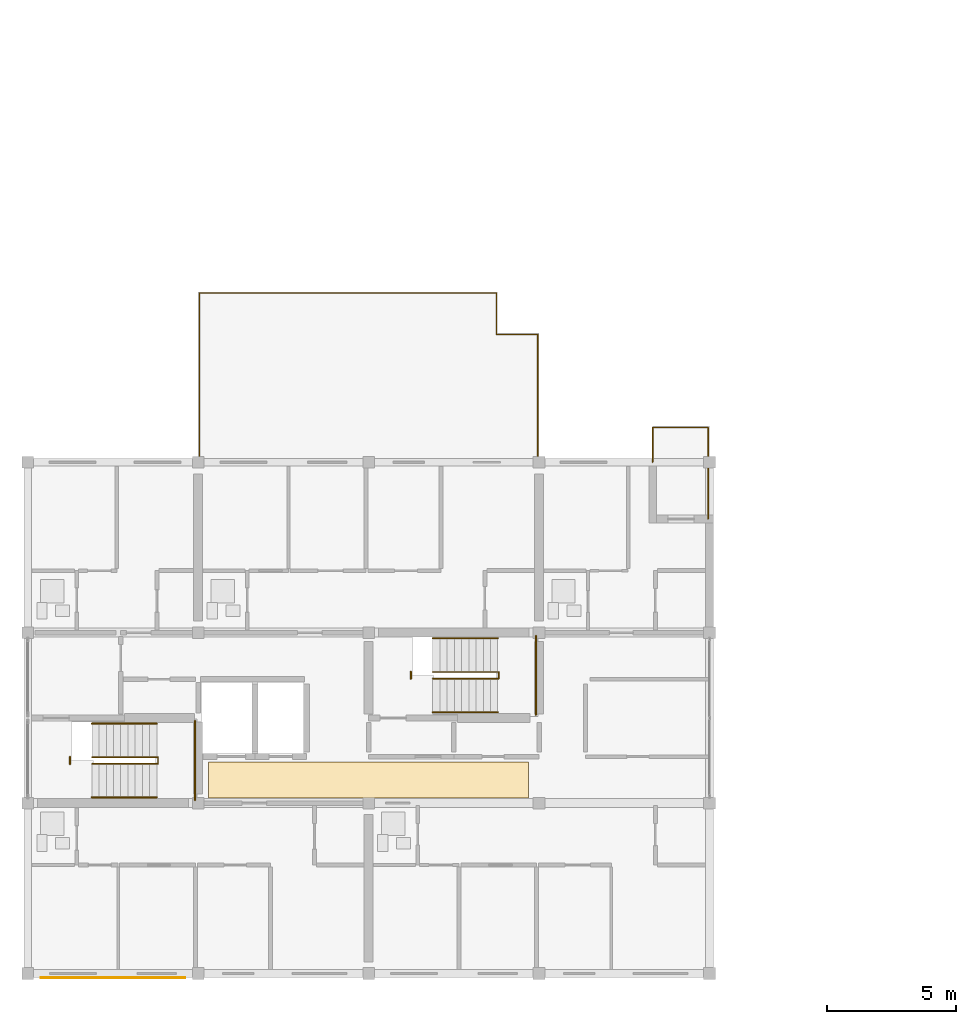
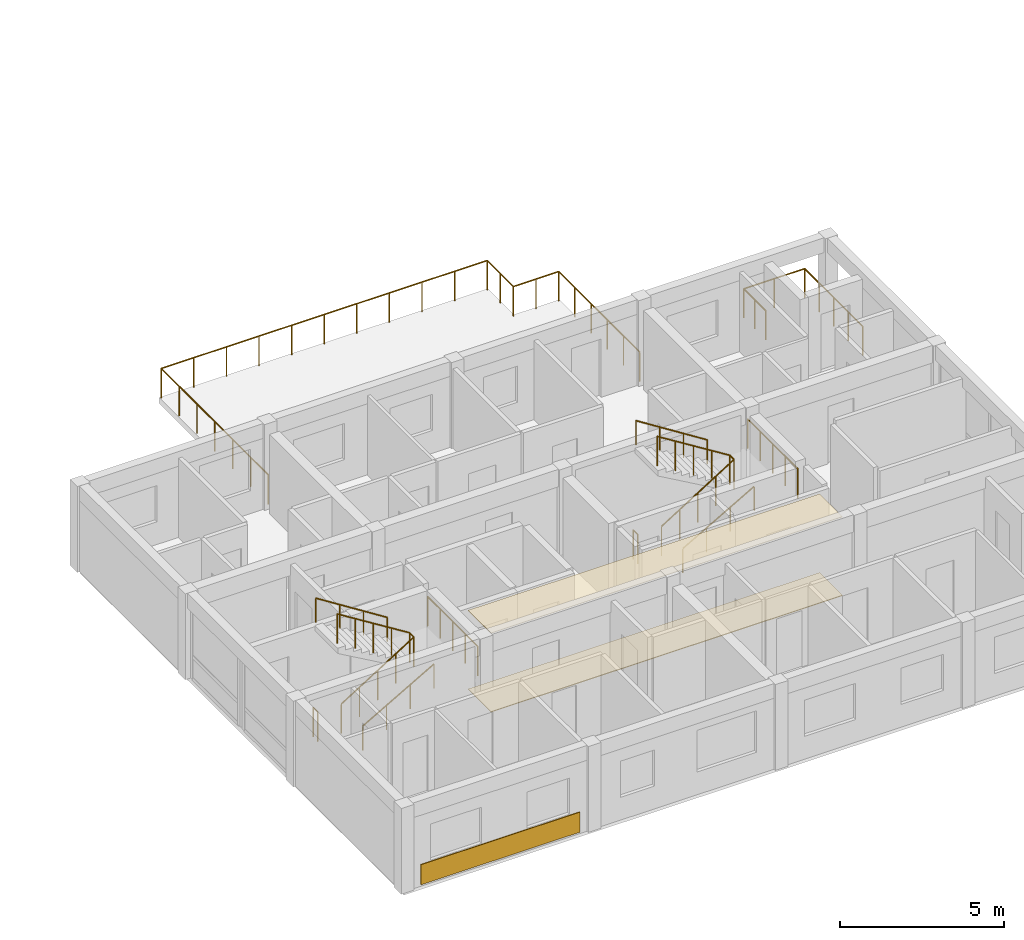
# One storey, part 43 of 51: 12 railings, 3 coverings.
"""IFC4 building model written with IfcOpenShell, lengths in metres."""

import ifcopenshell
import ifcopenshell.guid

model = None  # the IFC model being written
_history = None  # IfcOwnerHistory: only IFC2X3 demands one
_inside = {}  # id of a spatial element -> (the spatial element, [elements in it])
_under = {}  # id of a project, library or spatial element -> (it, [spatial elements below it])
_declared = {}  # id of a project -> (the project, [libraries it declares])
_typed = {}  # id of a type object -> (the type object, [elements of that type])
_made_of = {}  # id of a material, layer set ... -> (it, [elements and type objects made of it])


def new_model(schema):
    """Start an empty IFC model of exactly this schema.

    Asked for "IFC4X3", IfcOpenShell would pick the latest addendum, in which some entities
    have other attributes; the version numbers below select the first issue.
    IFC2X3 requires an IfcOwnerHistory on every rooted entity: one is made here for all.
    """
    global model, _history
    if schema == "IFC4X3":
        model = ifcopenshell.file(schema_version=(4, 3, 0, 0))
    else:
        model = ifcopenshell.file(schema=schema)
    _inside.clear()
    _under.clear()
    _declared.clear()
    _typed.clear()
    _made_of.clear()
    _history = None
    if model.schema == "IFC2X3":
        org = make("IfcOrganization", Name="unknown")
        user = make(
            "IfcPersonAndOrganization",
            ThePerson=make("IfcPerson", FamilyName="unknown"),
            TheOrganization=org,
        )
        app = make(
            "IfcApplication",
            ApplicationDeveloper=org,
            Version="unknown",
            ApplicationFullName="unknown",
            ApplicationIdentifier="unknown",
        )
        _history = make(
            "IfcOwnerHistory",
            OwningUser=user,
            OwningApplication=app,
            ChangeAction="ADDED",
            CreationDate=0,
        )
    return model


def make(cls, **values):
    """One entity of the class cls with the attributes given. An attribute that is None is left unset."""
    return model.create_entity(
        cls, **{name: value for name, value in values.items() if value is not None}
    )


def rooted(cls, **values):
    """An entity with a GlobalId (a new one), such as an element, a storey or a relation."""
    return make(cls, GlobalId=ifcopenshell.guid.new(), OwnerHistory=_history, **values)


def si_unit(unit_type, name, prefix=None):
    """IfcSIUnit, for example si_unit("LENGTHUNIT", "METRE", prefix="MILLI")."""
    return make("IfcSIUnit", UnitType=unit_type, Prefix=prefix, Name=name)


def assignment(units):
    """IfcUnitAssignment: the units of a project."""
    return None if units is None else make("IfcUnitAssignment", Units=units)


def point(xyz):
    """IfcCartesianPoint."""
    return None if xyz is None else make("IfcCartesianPoint", Coordinates=xyz)


def direction(xyz):
    """IfcDirection."""
    return None if xyz is None else make("IfcDirection", DirectionRatios=xyz)


def frame(location, z_axis=None, x_axis=None):
    """IfcAxis2Placement3D, a coordinate frame: its origin and axes. An axis left out is left unset."""
    return make(
        "IfcAxis2Placement3D",
        Location=point(location),
        Axis=direction(z_axis),
        RefDirection=direction(x_axis),
    )


def frame_2d(location, x_axis=None):
    """IfcAxis2Placement2D, a coordinate frame in the plane: its origin and x axis."""
    return make(
        "IfcAxis2Placement2D", Location=point(location), RefDirection=direction(x_axis)
    )


def origin():
    """The frame at (0, 0, 0) with its axes left unset."""
    return frame((0.0, 0.0, 0.0))


def origin_2d():
    """The frame at (0, 0) in the plane with its x axis left unset."""
    return frame_2d((0.0, 0.0))


def place(relative_to, where):
    """IfcLocalPlacement: puts the frame where relative to a parent placement (None: the world)."""
    return make(
        "IfcLocalPlacement", PlacementRelTo=relative_to, RelativePlacement=where
    )


def context(
    kind, dimensions, precision=None, world=None, true_north=None, identifier=None
):
    """IfcGeometricRepresentationContext, for example the 3D "Model" context."""
    return make(
        "IfcGeometricRepresentationContext",
        ContextIdentifier=identifier,
        ContextType=kind,
        CoordinateSpaceDimension=dimensions,
        Precision=precision,
        WorldCoordinateSystem=world,
        TrueNorth=true_north,
    )


def subcontext(parent, identifier, kind, view, scale=None):
    """IfcGeometricRepresentationSubContext, for example "Body" below "Model"."""
    return make(
        "IfcGeometricRepresentationSubContext",
        ContextIdentifier=identifier,
        ContextType=kind,
        ParentContext=parent,
        TargetScale=scale,
        TargetView=view,
    )


def project(units=None, contexts=None):
    """IfcProject with its units and contexts."""
    return rooted(
        "IfcProject",
        Name="project",
        RepresentationContexts=contexts,
        UnitsInContext=assignment(units),
    )


def spatial(cls, under=None, at=None, **own):
    """A site, building, storey or space (cls), placed at a placement, below another one or the project."""
    s = rooted(cls, ObjectPlacement=at, **own)
    if under is not None:
        _under.setdefault(under.id(), (under, []))[1].append(s)
    return s


def polyline(points):
    """IfcPolyline through the points."""
    return make("IfcPolyline", Points=[point(p) for p in points])


def profile(cls, at=None, kind="AREA", **sizes):
    """A parametric profile (cls). Its sizes go by their IFC names, for example OverallWidth=200.0."""
    return make(cls, ProfileType=kind, Position=at, **sizes)


def rectangle(**sizes):
    """IfcRectangleProfileDef."""
    return profile("IfcRectangleProfileDef", **sizes)


def circle(**sizes):
    """IfcCircleProfileDef."""
    return profile("IfcCircleProfileDef", **sizes)


def outline(outer, holes=None, kind="AREA"):
    """IfcArbitraryClosedProfileDef: a profile drawn as a closed curve; with holes, ...WithVoids."""
    if holes is None:
        return make("IfcArbitraryClosedProfileDef", ProfileType=kind, OuterCurve=outer)
    return make(
        "IfcArbitraryProfileDefWithVoids",
        ProfileType=kind,
        OuterCurve=outer,
        InnerCurves=holes,
    )


def extrude(swept, where, along, depth):
    """IfcExtrudedAreaSolid: the profile swept, set in the frame where, extruded along a direction by depth."""
    return make(
        "IfcExtrudedAreaSolid",
        SweptArea=swept,
        Position=where,
        ExtrudedDirection=direction(along),
        Depth=depth,
    )


def shape(context_of_items, identifier, shape_type, items):
    """IfcShapeRepresentation: the items that make up one representation, for example the "Body"."""
    return make(
        "IfcShapeRepresentation",
        ContextOfItems=context_of_items,
        RepresentationIdentifier=identifier,
        RepresentationType=shape_type,
        Items=items,
    )


def material(Name=None, Category=None):
    """IfcMaterial."""
    return make("IfcMaterial", Name=Name, Category=Category)


def layer(
    of_material, thickness, ventilated=None, Name=None, Category=None, Priority=None
):
    """IfcMaterialLayer: one layer of a wall or slab, of a material (None: an air gap)."""
    return make(
        "IfcMaterialLayer",
        Material=of_material,
        LayerThickness=thickness,
        IsVentilated=ventilated,
        Name=Name,
        Category=Category,
        Priority=Priority,
    )


def layer_set(layers, Name=None):
    """IfcMaterialLayerSet."""
    return make("IfcMaterialLayerSet", MaterialLayers=layers, LayerSetName=Name)


def made_of(thing, what):
    """Note that an element or type object is made of a material, layer set ...; save() writes the relation."""
    if what is not None:
        _made_of.setdefault(what.id(), (what, []))[1].append(thing)
    return thing


def type_object(cls, material=None, **own):
    """A type object (cls), such as IfcWallType, which elements share."""
    return made_of(rooted(cls, **own), material)


def element(
    cls,
    number,
    at=None,
    inside=None,
    cuts=None,
    type_object=None,
    material=None,
    context=None,
    identifier="Body",
    shape_type=None,
    held_by="IfcProductDefinitionShape",
    body=None,
    shapes=None,
    **own,
):
    """One element of the class cls, such as IfcWall. Its Tag is "e" and its number.

    at: its placement. inside: the storey or other place that contains it. cuts: it is an
    opening in that element (IfcRelVoidsElement). A single representation is given by context,
    identifier, shape_type and body (its items); several are given by shapes. held_by: the class
    of the entity that holds the representations. save() writes the other relations.
    """
    e = rooted(cls, Tag="e%d" % number, ObjectPlacement=at, **own)
    if body is not None:
        shapes = [shape(context, identifier, shape_type, body)]
    if shapes is not None:
        e.Representation = make(held_by, Representations=shapes)
    if inside is not None:
        _inside.setdefault(inside.id(), (inside, []))[1].append(e)
    if cuts is not None:
        rooted(
            "IfcRelVoidsElement", RelatingBuildingElement=cuts, RelatedOpeningElement=e
        )
    if type_object is not None:
        _typed.setdefault(type_object.id(), (type_object, []))[1].append(e)
    return made_of(e, material)


def aggregate(whole, parts):
    """IfcRelAggregates: a whole, such as a stair, and the parts it consists of."""
    return rooted("IfcRelAggregates", RelatingObject=whole, RelatedObjects=parts)


def save(model, path):
    """Write the relations noted so far, then the file.

    IfcRelAggregates (storeys below a building ...), IfcRelContainedInSpatialStructure (elements
    in a storey), IfcRelDefinesByType, IfcRelAssociatesMaterial and IfcRelDeclares: one each for
    every whole, place, type object, material and project.
    """
    for whole, parts in _under.values():
        aggregate(whole, parts)
    for where, things in _inside.values():
        rooted(
            "IfcRelContainedInSpatialStructure",
            RelatedElements=things,
            RelatingStructure=where,
        )
    for kind, things in _typed.values():
        rooted("IfcRelDefinesByType", RelatedObjects=things, RelatingType=kind)
    for what, things in _made_of.values():
        rooted("IfcRelAssociatesMaterial", RelatedObjects=things, RelatingMaterial=what)
    for by, libraries in _declared.values():
        rooted("IfcRelDeclares", RelatingContext=by, RelatedDefinitions=libraries)
    model.write(path)


model = new_model("IFC4")

# Units and contexts
model_context = context("Model", 3, precision=1e-05, world=origin(), true_north=direction((0.0, 1.0)))
body_context = subcontext(model_context, "Body", "Model", "MODEL_VIEW")
ifc_project = project(units=[si_unit("LENGTHUNIT", "METRE"), si_unit("AREAUNIT", "SQUARE_METRE"), si_unit("VOLUMEUNIT", "CUBIC_METRE"), si_unit("PLANEANGLEUNIT", "RADIAN"), si_unit("MASSUNIT", "GRAM", prefix="KILO")], contexts=[model_context])

# Site, building, storey
site_placement = place(None, origin())
site = spatial("IfcSite", under=ifc_project, at=site_placement, CompositionType="ELEMENT")
building_placement = place(site_placement, origin())
building = spatial("IfcBuilding", under=site, at=building_placement, Name="Kernevlak Ridge Housing Community", CompositionType="ELEMENT")
storey_placement = place(building_placement, frame((0.0, 0.0, 8.39990234375)))
storey = spatial("IfcBuildingStorey", under=building, at=storey_placement, Name="L02", CompositionType="ELEMENT", Elevation=8.39990234375)

# Railing
ifc_material_1 = material(Name="Steel S355", Category="steel")
railing_type_1 = type_object("IfcRailingType", Name="BL-01", PredefinedType="BALUSTRADE", material=ifc_material_1)
railing_1_placement = place(storey_placement, frame((39.800048828125, 35.39990234375, 0.0)))
element("IfcRailing", 1, at=railing_1_placement, inside=storey, type_object=railing_type_1, Name="Block D L02 balcony balustrade BL-01 47", PredefinedType="BALUSTRADE", context=body_context, shape_type="SweptSolid", body=[
    extrude(circle(Radius=0.02392578125, at=origin_2d()), frame((0.0, 0.0, 1.076171875), z_axis=(0.0, 1.0, 0.0), x_axis=(-1.0, 0.0, 0.0)), (0.0, 0.0, 1.0), 1.35009765625),
    extrude(circle(Radius=0.02392578125, at=origin_2d()), frame((0.0, 1.35009765625, 1.076171875), z_axis=(1.0, 0.0, 0.0), x_axis=(0.0, 1.0, 0.0)), (0.0, 0.0, 1.0), 2.14990234375),
    extrude(circle(Radius=0.02392578125, at=origin_2d()), frame((2.14990234375, 1.35009765625, 1.076171875), z_axis=(0.0, -1.0, 0.0), x_axis=(1.0, 0.0, 0.0)), (0.0, 0.0, 1.0), 3.550048828125),
    extrude(circle(Radius=0.02099609375, at=origin_2d()), origin(), (0.0, 0.0, 1.0), 1.052001953125),
    extrude(circle(Radius=0.02099609375, at=origin_2d()), frame((0.0, 0.675048828125, 0.0)), (0.0, 0.0, 1.0), 1.052001953125),
    extrude(circle(Radius=0.02099609375, at=origin_2d()), frame((0.0, 1.35009765625, 0.0)), (0.0, 0.0, 1.0), 1.052001953125),
    extrude(circle(Radius=0.02099609375, at=origin_2d()), frame((1.074951171875, 1.35009765625, 0.0)), (0.0, 0.0, 1.0), 1.052001953125),
    extrude(circle(Radius=0.02099609375, at=origin_2d()), frame((2.14990234375, 1.35009765625, 0.0)), (0.0, 0.0, 1.0), 1.052001953125),
    extrude(circle(Radius=0.02099609375, at=origin_2d()), frame((2.14990234375, 0.462646484375, 0.0)), (0.0, 0.0, 1.0), 1.052001953125),
    extrude(circle(Radius=0.02099609375, at=origin_2d()), frame((2.14990234375, -0.4248046875, 0.0)), (0.0, 0.0, 1.0), 1.052001953125),
    extrude(circle(Radius=0.02099609375, at=origin_2d()), frame((2.14990234375, -1.3125, 0.0)), (0.0, 0.0, 1.0), 1.052001953125),
    extrude(circle(Radius=0.02099609375, at=origin_2d()), frame((2.14990234375, -2.199951171875, 0.0)), (0.0, 0.0, 1.0), 1.052001953125),
])

# Coverings
ifc_material_2 = material(Name="Acoustic perforated gypsum ceiling board")
ifc_layer_1 = layer(ifc_material_2, 0.02001953125, Name="Acoustic perforated gypsum ceiling board")
ifc_layer_set_1 = layer_set([ifc_layer_1], Name="Acoustic perforated gypsum ceiling board")
covering_type_1 = type_object("IfcCoveringType", Name="CV-01", PredefinedType="CEILING", material=ifc_layer_set_1)
covering_1_placement = place(storey_placement, frame((0.0, 0.0, 2.940185546875)))
element("IfcCovering", 2, at=covering_1_placement, inside=storey, type_object=covering_type_1, Name="Block D L02 lobby acoustic ceiling", PredefinedType="CEILING", context=body_context, shape_type="SweptSolid", body=[
    extrude(outline(polyline([(22.60009765625, 22.39990234375), (35.0, 22.39990234375), (35.0, 23.800048828125), (22.60009765625, 23.800048828125), (22.60009765625, 22.39990234375)])), origin(), (0.0, 0.0, 1.0), 0.02001953125),
])
ifc_material_3 = material(Name="Polished pale terrazzo tile flooring")
ifc_layer_2 = layer(ifc_material_3, 0.02490234375, Name="Polished pale terrazzo tile flooring")
ifc_layer_set_2 = layer_set([ifc_layer_2], Name="Polished pale terrazzo tile flooring")
covering_type_2 = type_object("IfcCoveringType", Name="CV-02", PredefinedType="FLOORING", material=ifc_layer_set_2)
covering_2_placement = place(storey_placement, origin())
element("IfcCovering", 3, at=covering_2_placement, inside=storey, type_object=covering_type_2, Name="Block D L02 lobby terrazzo flooring", PredefinedType="FLOORING", context=body_context, shape_type="SweptSolid", body=[
    extrude(outline(polyline([(22.60009765625, 22.39990234375), (35.0, 22.39990234375), (35.0, 23.800048828125), (22.60009765625, 23.800048828125), (22.60009765625, 22.39990234375)])), origin(), (0.0, 0.0, 1.0), 0.025146484375),
])
ifc_material_4 = material(Name="Aluminium EN AW-5005 enamelled cladding", Category="aluminium")
ifc_layer_3 = layer(ifc_material_4, 0.030029296875, Name="Aluminium EN AW-5005 enamelled cladding")
ifc_layer_set_3 = layer_set([ifc_layer_3], Name="Aluminium EN AW-5005 enamelled cladding")
covering_type_3 = type_object("IfcCoveringType", Name="CV-04", PredefinedType="CLADDING", material=ifc_layer_set_3)
covering_3_placement = place(storey_placement, frame((18.89990234375, 15.43505859375, 0.0751953125), z_axis=(0.0, 0.0, 1.0), x_axis=(1.0, 0.0, 0.0)))
element("IfcCovering", 4, at=covering_3_placement, inside=storey, type_object=covering_type_3, Name="Block D L02 De Stijl blue spandrel cladding", PredefinedType="CLADDING", context=body_context, shape_type="SweptSolid", body=[
    extrude(rectangle(XDim=5.60009765625, YDim=0.030029296875, at=origin_2d()), origin(), (0.0, 0.0, 1.0), 0.75),
])

# Railings
railing_type_2 = type_object("IfcRailingType", Name="GR-01", PredefinedType="GUARDRAIL", material=ifc_material_1)
railing_2_placement = place(storey_placement, frame((22.25, 35.39990234375, 0.0)))
element("IfcRailing", 5, at=railing_2_placement, inside=storey, type_object=railing_type_2, Name="Block D L02 podium terrace guard GR-01 48", PredefinedType="GUARDRAIL", context=body_context, shape_type="SweptSolid", body=[
    extrude(circle(Radius=0.02392578125, at=origin_2d()), frame((0.0, 0.0, 1.09619140625), z_axis=(0.0, 1.0, 0.0), x_axis=(-1.0, 0.0, 0.0)), (0.0, 0.0, 1.0), 6.550048828125),
    extrude(circle(Radius=0.02392578125, at=origin_2d()), frame((0.0, 6.550048828125, 1.09619140625), z_axis=(1.0, 0.0, 0.0), x_axis=(0.0, 1.0, 0.0)), (0.0, 0.0, 1.0), 11.5),
    extrude(circle(Radius=0.02392578125, at=origin_2d()), frame((11.5, 6.550048828125, 1.09619140625), z_axis=(0.0, -1.0, 0.0), x_axis=(1.0, 0.0, 0.0)), (0.0, 0.0, 1.0), 1.599853515625),
    extrude(circle(Radius=0.02392578125, at=origin_2d()), frame((11.5, 4.9501953125, 1.09619140625), z_axis=(1.0, 0.0, 0.0), x_axis=(0.0, 1.0, 0.0)), (0.0, 0.0, 1.0), 1.60009765625),
    extrude(circle(Radius=0.02392578125, at=origin_2d()), frame((13.10009765625, 4.9501953125, 1.09619140625), z_axis=(0.0, -1.0, 0.0), x_axis=(1.0, 0.0, 0.0)), (0.0, 0.0, 1.0), 4.9501953125),
    extrude(circle(Radius=0.02099609375, at=origin_2d()), origin(), (0.0, 0.0, 1.0), 1.072021484375),
    extrude(circle(Radius=0.02099609375, at=origin_2d()), frame((0.0, 1.091796875, 0.0)), (0.0, 0.0, 1.0), 1.072021484375),
    extrude(circle(Radius=0.02099609375, at=origin_2d()), frame((0.0, 2.183349609375, 0.0)), (0.0, 0.0, 1.0), 1.072021484375),
    extrude(circle(Radius=0.02099609375, at=origin_2d()), frame((0.0, 3.27490234375, 0.0)), (0.0, 0.0, 1.0), 1.072021484375),
    extrude(circle(Radius=0.02099609375, at=origin_2d()), frame((0.0, 4.36669921875, 0.0)), (0.0, 0.0, 1.0), 1.072021484375),
    extrude(circle(Radius=0.02099609375, at=origin_2d()), frame((0.0, 5.45849609375, 0.0)), (0.0, 0.0, 1.0), 1.072021484375),
    extrude(circle(Radius=0.02099609375, at=origin_2d()), frame((0.0, 6.550048828125, 0.0)), (0.0, 0.0, 1.0), 1.072021484375),
    extrude(circle(Radius=0.02099609375, at=origin_2d()), frame((1.14990234375, 6.550048828125, 0.0)), (0.0, 0.0, 1.0), 1.072021484375),
    extrude(circle(Radius=0.02099609375, at=origin_2d()), frame((2.300048828125, 6.550048828125, 0.0)), (0.0, 0.0, 1.0), 1.072021484375),
    extrude(circle(Radius=0.02099609375, at=origin_2d()), frame((3.449951171875, 6.550048828125, 0.0)), (0.0, 0.0, 1.0), 1.072021484375),
    extrude(circle(Radius=0.02099609375, at=origin_2d()), frame((4.60009765625, 6.550048828125, 0.0)), (0.0, 0.0, 1.0), 1.072021484375),
    extrude(circle(Radius=0.02099609375, at=origin_2d()), frame((5.75, 6.550048828125, 0.0)), (0.0, 0.0, 1.0), 1.072021484375),
    extrude(circle(Radius=0.02099609375, at=origin_2d()), frame((6.89990234375, 6.550048828125, 0.0)), (0.0, 0.0, 1.0), 1.072021484375),
    extrude(circle(Radius=0.02099609375, at=origin_2d()), frame((8.050048828125, 6.550048828125, 0.0)), (0.0, 0.0, 1.0), 1.072021484375),
    extrude(circle(Radius=0.02099609375, at=origin_2d()), frame((9.199951171875, 6.550048828125, 0.0)), (0.0, 0.0, 1.0), 1.072021484375),
    extrude(circle(Radius=0.02099609375, at=origin_2d()), frame((10.35009765625, 6.550048828125, 0.0)), (0.0, 0.0, 1.0), 1.072021484375),
    extrude(circle(Radius=0.02099609375, at=origin_2d()), frame((11.5, 6.550048828125, 0.0)), (0.0, 0.0, 1.0), 1.072021484375),
    extrude(circle(Radius=0.02099609375, at=origin_2d()), frame((11.5, 5.75, 0.0)), (0.0, 0.0, 1.0), 1.072021484375),
    extrude(circle(Radius=0.02099609375, at=origin_2d()), frame((11.5, 4.9501953125, 0.0)), (0.0, 0.0, 1.0), 1.072021484375),
    extrude(circle(Radius=0.02099609375, at=origin_2d()), frame((12.300048828125, 4.9501953125, 0.0)), (0.0, 0.0, 1.0), 1.072021484375),
    extrude(circle(Radius=0.02099609375, at=origin_2d()), frame((13.10009765625, 4.9501953125, 0.0)), (0.0, 0.0, 1.0), 1.072021484375),
    extrude(circle(Radius=0.02099609375, at=origin_2d()), frame((13.10009765625, 3.960205078125, 0.0)), (0.0, 0.0, 1.0), 1.072021484375),
    extrude(circle(Radius=0.02099609375, at=origin_2d()), frame((13.10009765625, 2.97021484375, 0.0)), (0.0, 0.0, 1.0), 1.072021484375),
    extrude(circle(Radius=0.02099609375, at=origin_2d()), frame((13.10009765625, 1.97998046875, 0.0)), (0.0, 0.0, 1.0), 1.072021484375),
    extrude(circle(Radius=0.02099609375, at=origin_2d()), frame((13.10009765625, 0.989990234375, 0.0)), (0.0, 0.0, 1.0), 1.072021484375),
    extrude(circle(Radius=0.02099609375, at=origin_2d()), frame((13.10009765625, 0.0, 0.0)), (0.0, 0.0, 1.0), 1.072021484375),
])
railing_type_3 = type_object("IfcRailingType", Name="GR-02", PredefinedType="GUARDRAIL", material=ifc_material_1)
railing_3_placement = place(storey_placement, frame((17.239990234375, 23.7099609375, 0.0)))
element("IfcRailing", 6, at=railing_3_placement, inside=storey, type_object=railing_type_3, Name="Stair ST-D1 L02 well slot guard", PredefinedType="GUARDRAIL", context=body_context, shape_type="SweptSolid", body=[
    extrude(circle(Radius=0.02392578125, at=origin_2d()), frame((0.0, 0.0, 1.09619140625), z_axis=(0.0, 1.0, 0.0), x_axis=(-1.0, 0.0, 0.0)), (0.0, 0.0, 1.0), 0.280029296875),
    extrude(circle(Radius=0.02099609375, at=origin_2d()), origin(), (0.0, 0.0, 1.0), 1.072021484375),
    extrude(circle(Radius=0.02099609375, at=origin_2d()), frame((0.0, 0.280029296875, 0.0)), (0.0, 0.0, 1.0), 1.072021484375),
])
railing_4_placement = place(storey_placement, frame((18.080078125, 23.719970703125, 0.0)))
element("IfcRailing", 7, at=railing_4_placement, inside=storey, type_object=railing_type_3, Name="Stair ST-D1 L02 inner well guardrail", PredefinedType="GUARDRAIL", context=body_context, shape_type="SweptSolid", body=[
    extrude(circle(Radius=0.02392578125, at=origin_2d()), frame((0.0, 0.0, 1.09619140625), z_axis=(0.847966497998, 0.0, 0.530049826217), x_axis=(0.0, 1.0, 0.0)), (0.0, 0.0, 1.0), 3.018798828125),
    extrude(circle(Radius=0.02392578125, at=origin_2d()), frame((2.559814453125, 0.0, 2.6962890625), z_axis=(0.0, 1.0, 0.0), x_axis=(-1.0, 0.0, 0.0)), (0.0, 0.0, 1.0), 0.260009765625),
    extrude(circle(Radius=0.02392578125, at=origin_2d()), frame((2.559814453125, 0.260009765625, 2.6962890625), z_axis=(-0.847966497998, 0.0, 0.530049826217), x_axis=(0.0, -1.0, 0.0)), (0.0, 0.0, 1.0), 3.018798828125),
    extrude(circle(Radius=0.02099609375, at=origin_2d()), origin(), (0.0, 0.0, 1.0), 1.072021484375),
    extrude(circle(Radius=0.02099609375, at=origin_2d()), frame((0.639892578125, 0.0, 0.39990234375)), (0.0, 0.0, 1.0), 1.072021484375),
    extrude(circle(Radius=0.02099609375, at=origin_2d()), frame((1.27978515625, 0.0, 0.800048828125)), (0.0, 0.0, 1.0), 1.072021484375),
    extrude(circle(Radius=0.02099609375, at=origin_2d()), frame((1.919921875, 0.0, 1.2001953125)), (0.0, 0.0, 1.0), 1.072021484375),
    extrude(circle(Radius=0.02099609375, at=origin_2d()), frame((2.559814453125, 0.0, 1.60009765625)), (0.0, 0.0, 1.0), 1.072021484375),
    extrude(circle(Radius=0.02099609375, at=origin_2d()), frame((2.559814453125, 0.260009765625, 1.60009765625)), (0.0, 0.0, 1.0), 1.072021484375),
    extrude(circle(Radius=0.02099609375, at=origin_2d()), frame((1.919921875, 0.260009765625, 2.0)), (0.0, 0.0, 1.0), 1.072021484375),
    extrude(circle(Radius=0.02099609375, at=origin_2d()), frame((1.27978515625, 0.260009765625, 2.400146484375)), (0.0, 0.0, 1.0), 1.072021484375),
    extrude(circle(Radius=0.02099609375, at=origin_2d()), frame((0.639892578125, 0.260009765625, 2.80029296875)), (0.0, 0.0, 1.0), 1.072021484375),
    extrude(circle(Radius=0.02099609375, at=origin_2d()), frame((0.0, 0.260009765625, 3.2001953125)), (0.0, 0.0, 1.0), 1.072021484375),
])
railing_5_placement = place(storey_placement, frame((22.080078125, 22.320068359375, 1.60009765625)))
element("IfcRailing", 8, at=railing_5_placement, inside=storey, type_object=railing_type_3, Name="Stair ST-D1 L02 half-landing guard", PredefinedType="GUARDRAIL", context=body_context, shape_type="SweptSolid", body=[
    extrude(circle(Radius=0.02392578125, at=origin_2d()), frame((0.0, 0.0, 1.09619140625), z_axis=(0.0, 1.0, 0.0), x_axis=(-1.0, 0.0, 0.0)), (0.0, 0.0, 1.0), 3.059814453125),
    extrude(circle(Radius=0.02099609375, at=origin_2d()), origin(), (0.0, 0.0, 1.0), 1.072021484375),
    extrude(circle(Radius=0.02099609375, at=origin_2d()), frame((0.0, 0.764892578125, 0.0)), (0.0, 0.0, 1.0), 1.072021484375),
    extrude(circle(Radius=0.02099609375, at=origin_2d()), frame((0.0, 1.52978515625, 0.0)), (0.0, 0.0, 1.0), 1.072021484375),
    extrude(circle(Radius=0.02099609375, at=origin_2d()), frame((0.0, 2.294921875, 0.0)), (0.0, 0.0, 1.0), 1.072021484375),
    extrude(circle(Radius=0.02099609375, at=origin_2d()), frame((0.0, 3.059814453125, 0.0)), (0.0, 0.0, 1.0), 1.072021484375),
])
railing_6_placement = place(storey_placement, frame((30.43994140625, 27.010009765625, 0.0)))
element("IfcRailing", 9, at=railing_6_placement, inside=storey, type_object=railing_type_3, Name="Stair ST-D2 L02 well slot guard", PredefinedType="GUARDRAIL", context=body_context, shape_type="SweptSolid", body=[
    extrude(circle(Radius=0.02392578125, at=origin_2d()), frame((0.0, 0.0, 1.09619140625), z_axis=(0.0, 1.0, 0.0), x_axis=(-1.0, 0.0, 0.0)), (0.0, 0.0, 1.0), 0.280029296875),
    extrude(circle(Radius=0.02099609375, at=origin_2d()), origin(), (0.0, 0.0, 1.0), 1.072021484375),
    extrude(circle(Radius=0.02099609375, at=origin_2d()), frame((0.0, 0.280029296875, 0.0)), (0.0, 0.0, 1.0), 1.072021484375),
])
railing_7_placement = place(storey_placement, frame((31.280029296875, 27.02001953125, 0.0)))
element("IfcRailing", 10, at=railing_7_placement, inside=storey, type_object=railing_type_3, Name="Stair ST-D2 L02 inner well guardrail", PredefinedType="GUARDRAIL", context=body_context, shape_type="SweptSolid", body=[
    extrude(circle(Radius=0.02392578125, at=origin_2d()), frame((0.0, 0.0, 1.09619140625), z_axis=(0.847989217509, 0.0, 0.530013478119), x_axis=(0.0, 1.0, 0.0)), (0.0, 0.0, 1.0), 3.01904296875),
    extrude(circle(Radius=0.02392578125, at=origin_2d()), frame((2.56005859375, 0.0, 2.6962890625), z_axis=(0.0, 1.0, 0.0), x_axis=(-1.0, 0.0, 0.0)), (0.0, 0.0, 1.0), 0.260009765625),
    extrude(circle(Radius=0.02392578125, at=origin_2d()), frame((2.56005859375, 0.260009765625, 2.6962890625), z_axis=(-0.847989217509, 0.0, 0.530013478119), x_axis=(0.0, -1.0, 0.0)), (0.0, 0.0, 1.0), 3.01904296875),
    extrude(circle(Radius=0.02099609375, at=origin_2d()), origin(), (0.0, 0.0, 1.0), 1.072021484375),
    extrude(circle(Radius=0.02099609375, at=origin_2d()), frame((0.64013671875, 0.0, 0.39990234375)), (0.0, 0.0, 1.0), 1.072021484375),
    extrude(circle(Radius=0.02099609375, at=origin_2d()), frame((1.280029296875, 0.0, 0.800048828125)), (0.0, 0.0, 1.0), 1.072021484375),
    extrude(circle(Radius=0.02099609375, at=origin_2d()), frame((1.919921875, 0.0, 1.2001953125)), (0.0, 0.0, 1.0), 1.072021484375),
    extrude(circle(Radius=0.02099609375, at=origin_2d()), frame((2.56005859375, 0.0, 1.60009765625)), (0.0, 0.0, 1.0), 1.072021484375),
    extrude(circle(Radius=0.02099609375, at=origin_2d()), frame((2.56005859375, 0.260009765625, 1.60009765625)), (0.0, 0.0, 1.0), 1.072021484375),
    extrude(circle(Radius=0.02099609375, at=origin_2d()), frame((1.919921875, 0.260009765625, 2.0)), (0.0, 0.0, 1.0), 1.072021484375),
    extrude(circle(Radius=0.02099609375, at=origin_2d()), frame((1.280029296875, 0.260009765625, 2.400146484375)), (0.0, 0.0, 1.0), 1.072021484375),
    extrude(circle(Radius=0.02099609375, at=origin_2d()), frame((0.64013671875, 0.260009765625, 2.80029296875)), (0.0, 0.0, 1.0), 1.072021484375),
    extrude(circle(Radius=0.02099609375, at=origin_2d()), frame((0.0, 0.260009765625, 3.2001953125)), (0.0, 0.0, 1.0), 1.072021484375),
])
railing_8_placement = place(storey_placement, frame((35.280029296875, 25.6201171875, 1.60009765625)))
element("IfcRailing", 11, at=railing_8_placement, inside=storey, type_object=railing_type_3, Name="Stair ST-D2 L02 half-landing guard", PredefinedType="GUARDRAIL", context=body_context, shape_type="SweptSolid", body=[
    extrude(circle(Radius=0.02392578125, at=origin_2d()), frame((0.0, 0.0, 1.09619140625), z_axis=(0.0, 1.0, 0.0), x_axis=(-1.0, 0.0, 0.0)), (0.0, 0.0, 1.0), 3.059814453125),
    extrude(circle(Radius=0.02099609375, at=origin_2d()), origin(), (0.0, 0.0, 1.0), 1.072021484375),
    extrude(circle(Radius=0.02099609375, at=origin_2d()), frame((0.0, 0.764892578125, 0.0)), (0.0, 0.0, 1.0), 1.072021484375),
    extrude(circle(Radius=0.02099609375, at=origin_2d()), frame((0.0, 1.52978515625, 0.0)), (0.0, 0.0, 1.0), 1.072021484375),
    extrude(circle(Radius=0.02099609375, at=origin_2d()), frame((0.0, 2.294921875, 0.0)), (0.0, 0.0, 1.0), 1.072021484375),
    extrude(circle(Radius=0.02099609375, at=origin_2d()), frame((0.0, 3.059814453125, 0.0)), (0.0, 0.0, 1.0), 1.072021484375),
])
ifc_material_5 = material(Name="Stainless steel EN 1.4401", Category="steel")
railing_type_4 = type_object("IfcRailingType", Name="HR-01", PredefinedType="HANDRAIL", material=ifc_material_5)
railing_9_placement = place(storey_placement, frame((18.080078125, 22.419921875, 0.16015625)))
element("IfcRailing", 12, at=railing_9_placement, inside=storey, type_object=railing_type_4, Name="Stair ST-D1 L02 flight 1 handrail", PredefinedType="HANDRAIL", context=body_context, shape_type="SweptSolid", body=[
    extrude(circle(Radius=0.02392578125, at=origin_2d()), frame((0.0, 0.0, 0.89599609375), z_axis=(0.868253494771, 0.0, 0.496120820787), x_axis=(0.0, 1.0, 0.0)), (0.0, 0.0, 1.0), 2.90234375),
    extrude(circle(Radius=0.02099609375, at=origin_2d()), origin(), (0.0, 0.0, 1.0), 0.871826171875),
    extrude(circle(Radius=0.02099609375, at=origin_2d()), frame((0.840087890625, 0.0, 0.47998046875)), (0.0, 0.0, 1.0), 0.871826171875),
    extrude(circle(Radius=0.02099609375, at=origin_2d()), frame((1.679931640625, 0.0, 0.9599609375)), (0.0, 0.0, 1.0), 0.871826171875),
    extrude(circle(Radius=0.02099609375, at=origin_2d()), frame((2.52001953125, 0.0, 1.43994140625)), (0.0, 0.0, 1.0), 0.871826171875),
])
railing_10_placement = place(storey_placement, frame((20.60009765625, 25.280029296875, 1.60009765625)))
element("IfcRailing", 13, at=railing_10_placement, inside=storey, type_object=railing_type_4, Name="Stair ST-D1 L02 flight 2 handrail", PredefinedType="HANDRAIL", context=body_context, shape_type="SweptSolid", body=[
    extrude(circle(Radius=0.02392578125, at=origin_2d()), frame((0.0, 0.0, 0.89599609375), z_axis=(-0.844199891302, 0.0, 0.536028491338), x_axis=(0.0, -1.0, 0.0)), (0.0, 0.0, 1.0), 2.985107421875),
    extrude(circle(Radius=0.02099609375, at=origin_2d()), origin(), (0.0, 0.0, 1.0), 0.871826171875),
    extrude(circle(Radius=0.02099609375, at=origin_2d()), frame((-0.840087890625, 0.0, 0.533447265625)), (0.0, 0.0, 1.0), 0.871826171875),
    extrude(circle(Radius=0.02099609375, at=origin_2d()), frame((-1.679931640625, 0.0, 1.066650390625)), (0.0, 0.0, 1.0), 0.871826171875),
    extrude(circle(Radius=0.02099609375, at=origin_2d()), frame((-2.52001953125, 0.0, 1.60009765625)), (0.0, 0.0, 1.0), 0.871826171875),
])
railing_11_placement = place(storey_placement, frame((31.280029296875, 25.719970703125, 0.16015625)))
element("IfcRailing", 14, at=railing_11_placement, inside=storey, type_object=railing_type_4, Name="Stair ST-D2 L02 flight 1 handrail", PredefinedType="HANDRAIL", context=body_context, shape_type="SweptSolid", body=[
    extrude(circle(Radius=0.02392578125, at=origin_2d()), frame((0.0, 0.0, 0.89599609375), z_axis=(0.868253494771, 0.0, 0.496120820787), x_axis=(0.0, 1.0, 0.0)), (0.0, 0.0, 1.0), 2.90234375),
    extrude(circle(Radius=0.02099609375, at=origin_2d()), origin(), (0.0, 0.0, 1.0), 0.871826171875),
    extrude(circle(Radius=0.02099609375, at=origin_2d()), frame((0.840087890625, 0.0, 0.47998046875)), (0.0, 0.0, 1.0), 0.871826171875),
    extrude(circle(Radius=0.02099609375, at=origin_2d()), frame((1.679931640625, 0.0, 0.9599609375)), (0.0, 0.0, 1.0), 0.871826171875),
    extrude(circle(Radius=0.02099609375, at=origin_2d()), frame((2.52001953125, 0.0, 1.43994140625)), (0.0, 0.0, 1.0), 0.871826171875),
])
railing_12_placement = place(storey_placement, frame((33.800048828125, 28.580078125, 1.60009765625)))
element("IfcRailing", 15, at=railing_12_placement, inside=storey, type_object=railing_type_4, Name="Stair ST-D2 L02 flight 2 handrail", PredefinedType="HANDRAIL", context=body_context, shape_type="SweptSolid", body=[
    extrude(circle(Radius=0.02392578125, at=origin_2d()), frame((0.0, 0.0, 0.89599609375), z_axis=(-0.844199891302, 0.0, 0.536028491338), x_axis=(0.0, -1.0, 0.0)), (0.0, 0.0, 1.0), 2.985107421875),
    extrude(circle(Radius=0.02099609375, at=origin_2d()), origin(), (0.0, 0.0, 1.0), 0.871826171875),
    extrude(circle(Radius=0.02099609375, at=origin_2d()), frame((-0.840087890625, 0.0, 0.533447265625)), (0.0, 0.0, 1.0), 0.871826171875),
    extrude(circle(Radius=0.02099609375, at=origin_2d()), frame((-1.679931640625, 0.0, 1.066650390625)), (0.0, 0.0, 1.0), 0.871826171875),
    extrude(circle(Radius=0.02099609375, at=origin_2d()), frame((-2.52001953125, 0.0, 1.60009765625)), (0.0, 0.0, 1.0), 0.871826171875),
])

save(model, "model.ifc")
